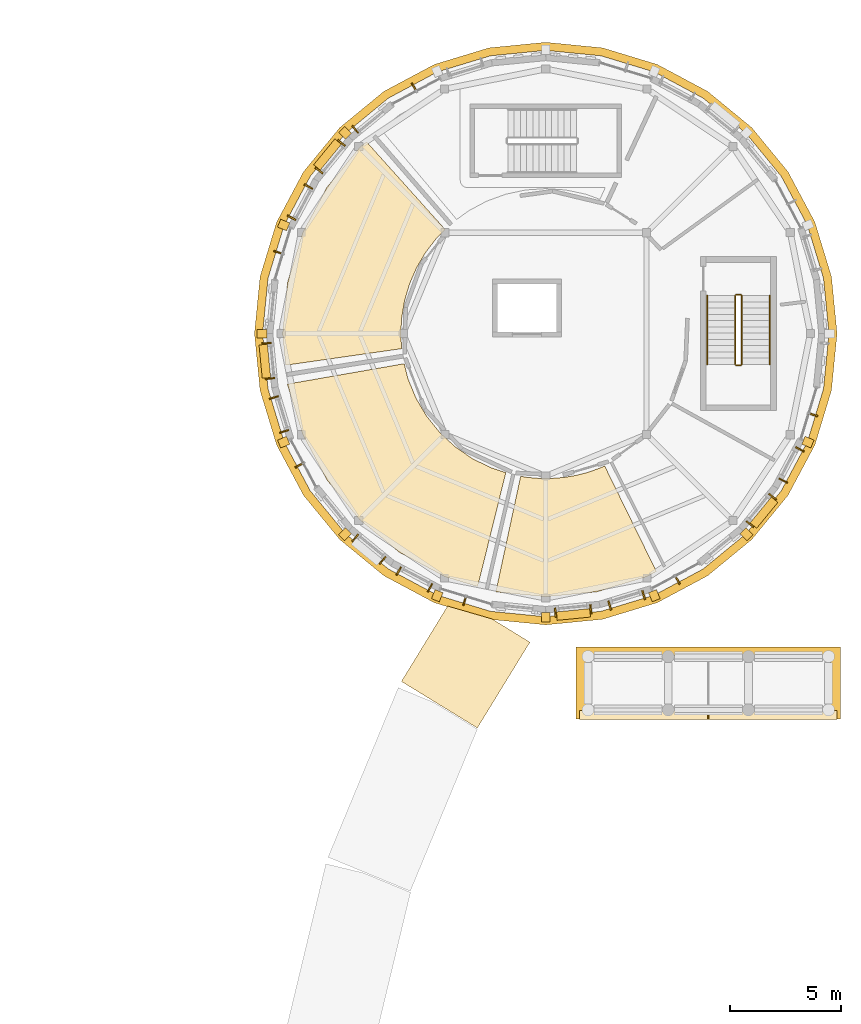
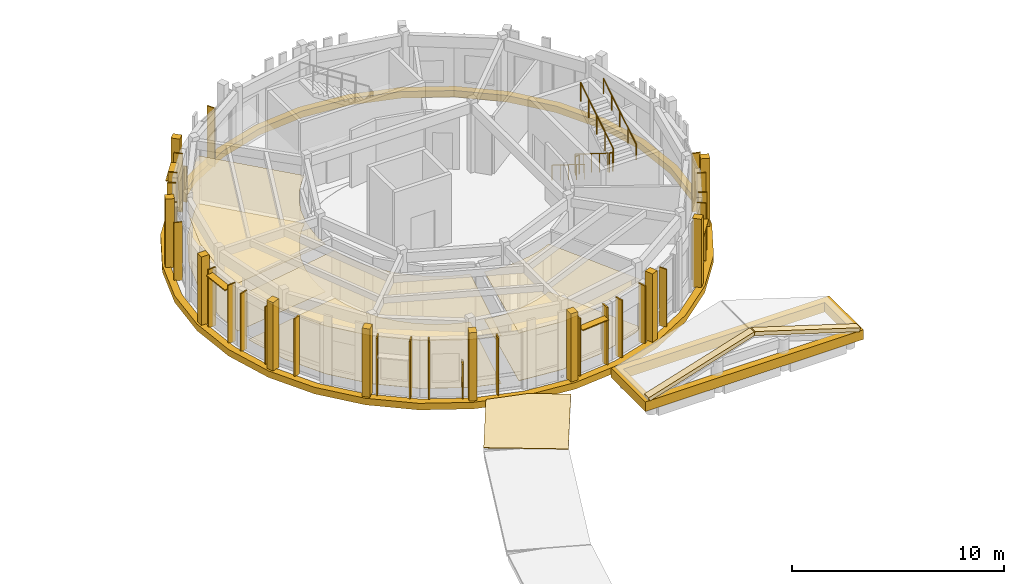
# One storey, part 57 of 58: 31 shading devices, 21 coverings, 6 railings.
"""IFC4 building model written with IfcOpenShell, lengths in metres."""

from ifc_helpers import new_model, si_unit, direction, frame, origin, origin_2d, place, context, subcontext, project, spatial, polyline, rectangle, circle, outline, extrude, material, layer, layer_set, type_object, element, save


model = new_model("IFC4")

# Units and contexts
model_context = context("Model", 3, precision=1e-05, world=origin(), true_north=direction((0.0, 1.0)))
body_context = subcontext(model_context, "Body", "Model", "MODEL_VIEW")
ifc_project = project(units=[si_unit("LENGTHUNIT", "METRE"), si_unit("AREAUNIT", "SQUARE_METRE"), si_unit("VOLUMEUNIT", "CUBIC_METRE"), si_unit("PLANEANGLEUNIT", "RADIAN"), si_unit("MASSUNIT", "GRAM", prefix="KILO")], contexts=[model_context])

# Site, building, storey
site_placement = place(None, origin())
site = spatial("IfcSite", under=ifc_project, at=site_placement, CompositionType="ELEMENT")
building_placement = place(site_placement, origin())
building = spatial("IfcBuilding", under=site, at=building_placement, Name="Aldenvaro Health Centre", CompositionType="ELEMENT")
storey_placement = place(building_placement, frame((0.0, 0.0, 8.75)))
storey = spatial("IfcBuildingStorey", under=building, at=storey_placement, Name="L02", CompositionType="ELEMENT", Elevation=8.75)

# Coverings
ifc_material_1 = material(Name="Antimicrobial Mineral Fibre Ceiling")
ifc_layer_1 = layer(ifc_material_1, 0.01806640625, Name="Antimicrobial Mineral Fibre Ceiling")
ifc_layer_set_1 = layer_set([ifc_layer_1], Name="Antimicrobial Mineral Fibre Ceiling")
covering_type_1 = type_object("IfcCoveringType", Name="COV-CLG-ACT18", PredefinedType="CEILING", material=ifc_layer_set_1)
covering_1_placement = place(storey_placement, frame((0.0, 0.0, 2.75)))
element("IfcCovering", 1, at=covering_1_placement, inside=storey, type_object=covering_type_1, Name="D2-L02-R04 Suspended Ceiling", PredefinedType="CEILING", context=body_context, shape_type="SweptSolid", body=[
    extrude(outline(polyline([(152.259033203125, 87.902099609375), (153.3720703125, 93.093994140625), (153.659912109375, 93.044921875), (153.679931640625, 93.0419921875), (154.199951171875, 92.9970703125), (154.219970703125, 92.99609375), (154.742919921875, 92.9951171875), (154.762939453125, 92.99609375), (155.282958984375, 93.0380859375), (155.302978515625, 93.0400390625), (155.819091796875, 93.125), (155.837890625, 93.12890625), (156.344970703125, 93.257080078125), (156.364013671875, 93.262939453125), (156.85791015625, 93.431884765625), (156.876953125, 93.43994140625), (157.14404296875, 93.556884765625), (159.466064453125, 88.818115234375), (159.02294921875, 88.5810546875), (156.804931640625, 87.907958984375), (154.5, 87.681884765625), (152.259033203125, 87.902099609375)])), origin(), (0.0, 0.0, 1.0), 0.01806640625),
])
ifc_material_2 = material(Name="Hygienic Sealed Gypsum Ceiling")
ifc_layer_2 = layer(ifc_material_2, 0.02490234375, Name="Hygienic Sealed Gypsum Ceiling")
ifc_layer_set_2 = layer_set([ifc_layer_2], Name="Hygienic Sealed Gypsum Ceiling")
covering_type_2 = type_object("IfcCoveringType", Name="COV-CLG-GYP25", PredefinedType="CEILING", material=ifc_layer_set_2)
covering_2_placement = place(storey_placement, frame((0.0, 0.0, 2.75)))
element("IfcCovering", 2, at=covering_2_placement, inside=storey, type_object=covering_type_2, Name="D2-L02-R02 Suspended Ceiling", PredefinedType="CEILING", context=body_context, shape_type="SweptSolid", body=[
    extrude(outline(polyline([(149.60205078125, 103.7880859375), (149.5830078125, 103.76611328125), (149.114990234375, 103.156982421875), (149.097900390625, 103.133056640625), (148.7080078125, 102.470947265625), (148.695068359375, 102.445068359375), (148.387939453125, 101.739990234375), (148.3779296875, 101.712890625), (148.159912109375, 100.97607421875), (148.153076171875, 100.947021484375), (148.027099609375, 100.18896484375), (148.02392578125, 100.159912109375), (147.990966796875, 99.39306640625), (147.991943359375, 99.363037109375), (148.034912109375, 98.822021484375), (142.821044921875, 98.080078125), (142.681884765625, 99.5), (142.907958984375, 101.804931640625), (143.5810546875, 104.02294921875), (144.673095703125, 106.06591796875), (146.14306640625, 107.85693359375), (146.451904296875, 108.110107421875), (149.98291015625, 104.175048828125), (149.60205078125, 103.7880859375)])), origin(), (0.0, 0.0, 1.0), 0.02490234375),
])
covering_3_placement = place(storey_placement, frame((0.0, 0.0, 2.75)))
element("IfcCovering", 3, at=covering_3_placement, inside=storey, type_object=covering_type_2, Name="D2-L02-R03 Suspended Ceiling", PredefinedType="CEILING", context=body_context, shape_type="SweptSolid", body=[
    extrude(outline(polyline([(148.31005859375, 97.486083984375), (148.321044921875, 97.452880859375), (148.6640625, 96.615966796875), (148.679931640625, 96.5849609375), (149.139892578125, 95.805908203125), (149.159912109375, 95.778076171875), (149.72802734375, 95.072998046875), (149.7509765625, 95.048095703125), (150.4140625, 94.431884765625), (150.44091796875, 94.410888671875), (151.18603515625, 93.89697265625), (151.216064453125, 93.8798828125), (152.027099609375, 93.47900390625), (152.05908203125, 93.466064453125), (152.70703125, 93.2548828125), (151.44091796875, 88.136962890625), (149.97705078125, 88.5810546875), (147.93408203125, 89.673095703125), (146.14306640625, 91.14306640625), (144.673095703125, 92.93408203125), (143.5810546875, 94.97705078125), (142.907958984375, 97.195068359375), (142.905029296875, 97.23291015625), (148.14501953125, 98.14697265625), (148.31005859375, 97.486083984375)])), origin(), (0.0, 0.0, 1.0), 0.02490234375),
])
ifc_material_3 = material(Name="Honed Sonoran Buff Limestone", Category="masonry")
ifc_layer_3 = layer(ifc_material_3, 0.280029296875, Name="Honed Sonoran Buff Limestone", Category="masonry")
ifc_layer_set_3 = layer_set([ifc_layer_3], Name="Honed Sonoran Buff Limestone")
covering_type_3 = type_object("IfcCoveringType", Name="COV-CRN-STN", PredefinedType="CLADDING", material=ifc_layer_set_3)
covering_4_placement = place(storey_placement, frame((0.0, 0.0, -0.340087890625)))
element("IfcCovering", 4, at=covering_4_placement, inside=storey, type_object=covering_type_3, Name="D2 L02 Classical Stone Entablature Cornice 1", PredefinedType="CLADDING", context=body_context, shape_type="SweptSolid", body=[
    extrude(outline(polyline([(167.580078125, 99.5), (167.3291015625, 102.052001953125), (166.583984375, 104.5048828125), (165.3759765625, 106.76708984375), (163.7490234375, 108.7490234375), (161.76708984375, 110.3759765625), (159.5048828125, 111.583984375), (157.052001953125, 112.3291015625), (154.5, 112.580078125), (151.947998046875, 112.3291015625), (149.4951171875, 111.583984375), (147.23291015625, 110.3759765625), (145.2509765625, 108.7490234375), (143.6240234375, 106.76708984375), (142.416015625, 104.5048828125), (141.6708984375, 102.052001953125), (141.419921875, 99.5), (141.6708984375, 96.947998046875), (142.416015625, 94.4951171875), (143.6240234375, 92.23291015625), (145.2509765625, 90.2509765625), (147.23291015625, 88.6240234375), (149.4951171875, 87.416015625), (151.947998046875, 86.6708984375), (154.5, 86.419921875), (157.052001953125, 86.6708984375), (159.5048828125, 87.416015625), (161.76708984375, 88.6240234375), (163.7490234375, 90.2509765625), (165.3759765625, 92.23291015625), (166.583984375, 94.4951171875), (167.3291015625, 96.947998046875), (167.580078125, 99.5)]), holes=[polyline([(167.215087890625, 99.5), (166.970947265625, 97.01904296875), (166.2470703125, 94.634033203125), (165.072021484375, 92.43603515625), (163.490966796875, 90.509033203125), (161.56396484375, 88.927978515625), (159.365966796875, 87.7529296875), (156.98095703125, 87.029052734375), (154.5, 86.784912109375), (152.01904296875, 87.029052734375), (149.634033203125, 87.7529296875), (147.43603515625, 88.927978515625), (145.509033203125, 90.509033203125), (143.927978515625, 92.43603515625), (142.7529296875, 94.634033203125), (142.029052734375, 97.01904296875), (141.784912109375, 99.5), (142.029052734375, 101.98095703125), (142.7529296875, 104.365966796875), (143.927978515625, 106.56396484375), (145.509033203125, 108.490966796875), (147.43603515625, 110.072021484375), (149.634033203125, 111.2470703125), (152.01904296875, 111.970947265625), (154.5, 112.215087890625), (156.98095703125, 111.970947265625), (159.365966796875, 111.2470703125), (161.56396484375, 110.072021484375), (163.490966796875, 108.490966796875), (165.072021484375, 106.56396484375), (166.2470703125, 104.365966796875), (166.970947265625, 101.98095703125), (167.215087890625, 99.5)])]), origin(), (0.0, 0.0, 1.0), 0.380126953125),
])
for number, where, z_axis, x_axis, name in (
    (5, (166.27001953125, 94.625, 0.00048828125), (0.0, 0.0, 1.0), (0.923886106593, -0.382667560743, 0.0), "D2 L02 Engaged Classical Limestone Pilaster 02"),
    (6, (163.509033203125, 90.490966796875, 0.00048828125), (0.0, 0.0, 1.0), (0.707106781187, -0.707106781187, 0.0), "D2 L02 Engaged Classical Limestone Pilaster 03"),
    (7, (159.375, 87.72998046875, 0.00048828125), (0.0, 0.0, 1.0), (0.382667560743, -0.923886106593, 0.0), "D2 L02 Engaged Classical Limestone Pilaster 04"),
    (8, (154.5, 86.760009765625, 0.00048828125), (0.0, 0.0, 1.0), (0.0, -1.0, 0.0), "D2 L02 Engaged Classical Limestone Pilaster 05"),
    (9, (149.625, 87.72998046875, 0.00048828125), (0.0, 0.0, 1.0), (-0.382667560743, -0.923886106593, 0.0), "D2 L02 Engaged Classical Limestone Pilaster 06"),
    (10, (145.490966796875, 90.490966796875, 0.00048828125), (0.0, 0.0, 1.0), (-0.707106781187, -0.707106781187, 0.0), "D2 L02 Engaged Classical Limestone Pilaster 07"),
    (11, (142.72998046875, 94.625, 0.00048828125), (0.0, 0.0, 1.0), (-0.923886106593, -0.382667560743, 0.0), "D2 L02 Engaged Classical Limestone Pilaster 08"),
    (12, (141.760009765625, 99.5, 0.00048828125), (0.0, 0.0, 1.0), (-1.0, 0.0, 0.0), "D2 L02 Engaged Classical Limestone Pilaster 09"),
    (13, (142.72998046875, 104.375, 0.00048828125), (0.0, 0.0, 1.0), (-0.923886106593, 0.382667560743, 0.0), "D2 L02 Engaged Classical Limestone Pilaster 10"),
    (14, (145.490966796875, 108.509033203125, 0.00048828125), (0.0, 0.0, 1.0), (-0.707106781187, 0.707106781187, 0.0), "D2 L02 Engaged Classical Limestone Pilaster 11"),
):
    element("IfcCovering", number, at=place(storey_placement, frame(where, z_axis=z_axis, x_axis=x_axis)), inside=storey, type_object=covering_type_3, Name=name, PredefinedType="CLADDING", context=body_context, shape_type="SweptSolid", body=[
        extrude(rectangle(XDim=0.43994140625, YDim=0.3798828125, at=origin_2d()), origin(), (0.0, 0.0, 1.0), 3.97509765625),
    ])
covering_5_placement = place(storey_placement, frame((0.0, 0.0, 0.449951171875)))
element("IfcCovering", 15, at=covering_5_placement, inside=storey, type_object=covering_type_3, Name="Bastion Portico N2 Classical Entablature Cornice", PredefinedType="CLADDING", context=body_context, shape_type="SweptSolid", body=[
    extrude(outline(polyline([(155.860107421875, 82.18994140625), (155.860107421875, 85.429931640625), (167.739990234375, 85.429931640625), (167.739990234375, 82.18994140625), (155.860107421875, 82.18994140625)]), holes=[polyline([(167.280029296875, 85.050048828125), (156.320068359375, 85.050048828125), (156.320068359375, 82.550048828125), (167.280029296875, 82.550048828125), (167.280029296875, 85.050048828125)])]), origin(), (0.0, 0.0, 1.0), 0.550048828125),
])
for number, where, z_axis, x_axis, name in (
    (16, (156.02001953125, 82.169921875, 1.18994140625), (-0.297240682512, 0.0, 0.954802585177), (0.954802585177, 0.0, 0.297240682512), "Bastion Portico N2 Raking Cornice W"),
    (17, (161.830078125, 82.169921875, 2.97998046875), (0.297240682512, 0.0, 0.954802585177), (0.954802585177, 0.0, -0.297240682512), "Bastion Portico N2 Raking Cornice E"),
):
    element("IfcCovering", number, at=place(storey_placement, frame(where, z_axis=z_axis, x_axis=x_axis)), inside=storey, type_object=covering_type_3, Name=name, PredefinedType="CLADDING", context=body_context, shape_type="SweptSolid", body=[
        extrude(outline(polyline([(0.0, 0.0), (6.022187297425734, 0.0), (6.022187297425734, 0.400146484375), (0.0, 0.400146484375), (0.0, 0.0)])), origin(), (0.0, 0.0, -1.0), 0.219970703125),
    ])
ifc_material_4 = material(Name="Polished Epoxy Terrazzo Flooring")
ifc_layer_4 = layer(ifc_material_4, 0.02197265625, Name="Polished Epoxy Terrazzo Flooring")
ifc_layer_set_4 = layer_set([ifc_layer_4], Name="Polished Epoxy Terrazzo Flooring")
covering_type_4 = type_object("IfcCoveringType", Name="COV-FLR-TER22", PredefinedType="FLOORING", material=ifc_layer_set_4)
covering_6_placement = place(storey_placement, origin())
element("IfcCovering", 18, at=covering_6_placement, inside=storey, type_object=covering_type_4, Name="D2-L02-R04 Flooring", PredefinedType="FLOORING", context=body_context, shape_type="SweptSolid", body=[
    extrude(outline(polyline([(152.259033203125, 87.902099609375), (153.3720703125, 93.093994140625), (153.659912109375, 93.044921875), (153.679931640625, 93.0419921875), (154.199951171875, 92.9970703125), (154.219970703125, 92.99609375), (154.742919921875, 92.9951171875), (154.762939453125, 92.99609375), (155.282958984375, 93.0380859375), (155.302978515625, 93.0400390625), (155.819091796875, 93.125), (155.837890625, 93.12890625), (156.344970703125, 93.257080078125), (156.364013671875, 93.262939453125), (156.85791015625, 93.431884765625), (156.876953125, 93.43994140625), (157.14404296875, 93.556884765625), (159.466064453125, 88.818115234375), (159.02294921875, 88.5810546875), (156.804931640625, 87.907958984375), (154.5, 87.681884765625), (152.259033203125, 87.902099609375)])), origin(), (0.0, 0.0, 1.0), 0.02197265625),
])
ifc_material_5 = material(Name="Seamless Homogeneous Sheet Vinyl")
ifc_layer_5 = layer(ifc_material_5, 0.013916015625, Name="Seamless Homogeneous Sheet Vinyl")
ifc_layer_set_5 = layer_set([ifc_layer_5], Name="Seamless Homogeneous Sheet Vinyl")
covering_type_5 = type_object("IfcCoveringType", Name="COV-FLR-VNL14", PredefinedType="FLOORING", material=ifc_layer_set_5)
covering_7_placement = place(storey_placement, origin())
element("IfcCovering", 19, at=covering_7_placement, inside=storey, type_object=covering_type_5, Name="D2-L02-R02 Flooring", PredefinedType="FLOORING", context=body_context, shape_type="SweptSolid", body=[
    extrude(outline(polyline([(149.60205078125, 103.7880859375), (149.5830078125, 103.76611328125), (149.114990234375, 103.156982421875), (149.097900390625, 103.133056640625), (148.7080078125, 102.470947265625), (148.695068359375, 102.445068359375), (148.387939453125, 101.739990234375), (148.3779296875, 101.712890625), (148.159912109375, 100.97607421875), (148.153076171875, 100.947021484375), (148.027099609375, 100.18896484375), (148.02392578125, 100.159912109375), (147.990966796875, 99.39306640625), (147.991943359375, 99.363037109375), (148.034912109375, 98.822021484375), (142.821044921875, 98.080078125), (142.681884765625, 99.5), (142.907958984375, 101.804931640625), (143.5810546875, 104.02294921875), (144.673095703125, 106.06591796875), (146.14306640625, 107.85693359375), (146.451904296875, 108.110107421875), (149.98291015625, 104.175048828125), (149.60205078125, 103.7880859375)])), origin(), (0.0, 0.0, 1.0), 0.013916015625),
])
covering_8_placement = place(storey_placement, origin())
element("IfcCovering", 20, at=covering_8_placement, inside=storey, type_object=covering_type_5, Name="D2-L02-R03 Flooring", PredefinedType="FLOORING", context=body_context, shape_type="SweptSolid", body=[
    extrude(outline(polyline([(148.31005859375, 97.486083984375), (148.321044921875, 97.452880859375), (148.6640625, 96.615966796875), (148.679931640625, 96.5849609375), (149.139892578125, 95.805908203125), (149.159912109375, 95.778076171875), (149.72802734375, 95.072998046875), (149.7509765625, 95.048095703125), (150.4140625, 94.431884765625), (150.44091796875, 94.410888671875), (151.18603515625, 93.89697265625), (151.216064453125, 93.8798828125), (152.027099609375, 93.47900390625), (152.05908203125, 93.466064453125), (152.70703125, 93.2548828125), (151.44091796875, 88.136962890625), (149.97705078125, 88.5810546875), (147.93408203125, 89.673095703125), (146.14306640625, 91.14306640625), (144.673095703125, 92.93408203125), (143.5810546875, 94.97705078125), (142.907958984375, 97.195068359375), (142.905029296875, 97.23291015625), (148.14501953125, 98.14697265625), (148.31005859375, 97.486083984375)])), origin(), (0.0, 0.0, 1.0), 0.013916015625),
])
ifc_material_6 = material(Name="TPO Reflective Cool Roof Membrane")
ifc_layer_6 = layer(ifc_material_6, 0.030029296875, Name="TPO Reflective Cool Roof Membrane")
ifc_layer_set_6 = layer_set([ifc_layer_6], Name="TPO Reflective Cool Roof Membrane")
covering_type_6 = type_object("IfcCoveringType", Name="COV-RF-MEM", PredefinedType="ROOFING", material=ifc_layer_set_6)
covering_9_placement = place(storey_placement, frame((0.0, 0.0, 0.06005859375)))
element("IfcCovering", 21, at=covering_9_placement, inside=storey, type_object=covering_type_6, Name="East Curved Garden Colonnade Arc 1 flat roof Cool Limestone Ballast Membrane", PredefinedType="ROOFING", context=body_context, shape_type="SweptSolid", body=[
    extrude(outline(polyline([(153.7890625, 85.64306640625), (151.427001953125, 81.7900390625), (148.01708984375, 83.8798828125), (150.092041015625, 87.264892578125), (152.083984375, 86.68798828125), (153.7890625, 85.64306640625)])), origin(), (0.0, 0.0, 1.0), 0.030029296875),
])

# Railings
ifc_material_7 = material(Name="Painted Architectural Steel", Category="steel")
railing_type_1 = type_object("IfcRailingType", Name="RL-BAL-INT", PredefinedType="BALUSTRADE", material=ifc_material_7)
railing_1_placement = place(storey_placement, frame((163.0, 101.199951171875, 0.175048828125)))
element("IfcRailing", 22, at=railing_1_placement, inside=storey, type_object=railing_type_1, Name="L02 ST-03 stair guard 1", PredefinedType="BALUSTRADE", context=body_context, shape_type="SweptSolid", body=[
    extrude(circle(Radius=0.02392578125, at=origin_2d()), frame((0.0, 0.0, 1.076171875), z_axis=(0.0, -0.847979421464, 0.530029150871), x_axis=(1.0, 0.0, 0.0)), (0.0, 0.0, 1.0), 3.632080078125),
    extrude(circle(Radius=0.02099609375, at=origin_2d()), origin(), (0.0, 0.0, 1.0), 1.052001953125),
    extrude(circle(Radius=0.02099609375, at=origin_2d()), frame((0.0, -0.77001953125, 0.481201171875)), (0.0, 0.0, 1.0), 1.052001953125),
    extrude(circle(Radius=0.02099609375, at=origin_2d()), frame((0.0, -1.5400390625, 0.96240234375)), (0.0, 0.0, 1.0), 1.052001953125),
    extrude(circle(Radius=0.02099609375, at=origin_2d()), frame((0.0, -2.309814453125, 1.44384765625)), (0.0, 0.0, 1.0), 1.052001953125),
    extrude(circle(Radius=0.02099609375, at=origin_2d()), frame((0.0, -3.079833984375, 1.925048828125)), (0.0, 0.0, 1.0), 1.052001953125),
])
railing_2_placement = place(storey_placement, frame((163.050048828125, 98.070068359375, 2.10009765625)))
element("IfcRailing", 23, at=railing_2_placement, inside=storey, type_object=railing_type_1, Name="L02 ST-03 stair guard 2", PredefinedType="BALUSTRADE", context=body_context, shape_type="SweptSolid", body=[
    extrude(circle(Radius=0.02392578125, at=origin_2d()), frame((0.0, 0.0, 1.076171875), z_axis=(1.0, 0.0, 0.0), x_axis=(0.0, 1.0, 0.0)), (0.0, 0.0, 1.0), 0.199951171875),
    extrude(circle(Radius=0.02099609375, at=origin_2d()), origin(), (0.0, 0.0, 1.0), 1.052001953125),
    extrude(circle(Radius=0.02099609375, at=origin_2d()), frame((0.199951171875, 0.0, 0.0)), (0.0, 0.0, 1.0), 1.052001953125),
])
railing_3_placement = place(storey_placement, frame((163.300048828125, 98.1201171875, 2.27490234375)))
element("IfcRailing", 24, at=railing_3_placement, inside=storey, type_object=railing_type_1, Name="L02 ST-03 stair guard 3", PredefinedType="BALUSTRADE", context=body_context, shape_type="SweptSolid", body=[
    extrude(circle(Radius=0.02392578125, at=origin_2d()), frame((0.0, 0.0, 1.076171875), z_axis=(0.0, 0.847979421464, 0.530029150871), x_axis=(-1.0, 0.0, 0.0)), (0.0, 0.0, 1.0), 3.632080078125),
    extrude(circle(Radius=0.02099609375, at=origin_2d()), origin(), (0.0, 0.0, 1.0), 1.052001953125),
    extrude(circle(Radius=0.02099609375, at=origin_2d()), frame((0.0, 0.77001953125, 0.481201171875)), (0.0, 0.0, 1.0), 1.052001953125),
    extrude(circle(Radius=0.02099609375, at=origin_2d()), frame((0.0, 1.5400390625, 0.96240234375)), (0.0, 0.0, 1.0), 1.052001953125),
    extrude(circle(Radius=0.02099609375, at=origin_2d()), frame((0.0, 2.309814453125, 1.44384765625)), (0.0, 0.0, 1.0), 1.052001953125),
    extrude(circle(Radius=0.02099609375, at=origin_2d()), frame((0.0, 3.079833984375, 1.925048828125)), (0.0, 0.0, 1.0), 1.052001953125),
])
railing_4_placement = place(storey_placement, frame((163.050048828125, 101.25, 0.0)))
element("IfcRailing", 25, at=railing_4_placement, inside=storey, type_object=railing_type_1, Name="L02 ST-03 stair guard 4", PredefinedType="BALUSTRADE", context=body_context, shape_type="SweptSolid", body=[
    extrude(circle(Radius=0.02392578125, at=origin_2d()), frame((0.0, 0.0, 1.076171875), z_axis=(1.0, 0.0, 0.0), x_axis=(0.0, 1.0, 0.0)), (0.0, 0.0, 1.0), 0.199951171875),
    extrude(circle(Radius=0.02099609375, at=origin_2d()), origin(), (0.0, 0.0, 1.0), 1.052001953125),
    extrude(circle(Radius=0.02099609375, at=origin_2d()), frame((0.199951171875, 0.0, 0.0)), (0.0, 0.0, 1.0), 1.052001953125),
])
railing_type_2 = type_object("IfcRailingType", Name="RL-HND-INT", PredefinedType="HANDRAIL", material=ifc_material_7)
railing_5_placement = place(storey_placement, frame((161.75, 101.199951171875, 0.175048828125)))
element("IfcRailing", 26, at=railing_5_placement, inside=storey, type_object=railing_type_2, Name="L02 ST-03 stair handrail 1", PredefinedType="HANDRAIL", context=body_context, shape_type="SweptSolid", body=[
    extrude(circle(Radius=0.02392578125, at=origin_2d()), frame((0.0, 0.0, 0.8759765625), z_axis=(0.0, -0.847979421464, 0.530029150871), x_axis=(1.0, 0.0, 0.0)), (0.0, 0.0, 1.0), 3.632080078125),
    extrude(circle(Radius=0.02099609375, at=origin_2d()), origin(), (0.0, 0.0, 1.0), 0.851806640625),
    extrude(circle(Radius=0.02099609375, at=origin_2d()), frame((0.0, -0.77001953125, 0.481201171875)), (0.0, 0.0, 1.0), 0.851806640625),
    extrude(circle(Radius=0.02099609375, at=origin_2d()), frame((0.0, -1.5400390625, 0.96240234375)), (0.0, 0.0, 1.0), 0.851806640625),
    extrude(circle(Radius=0.02099609375, at=origin_2d()), frame((0.0, -2.309814453125, 1.44384765625)), (0.0, 0.0, 1.0), 0.851806640625),
    extrude(circle(Radius=0.02099609375, at=origin_2d()), frame((0.0, -3.079833984375, 1.925048828125)), (0.0, 0.0, 1.0), 0.851806640625),
])
railing_6_placement = place(storey_placement, frame((164.550048828125, 98.1201171875, 2.27490234375)))
element("IfcRailing", 27, at=railing_6_placement, inside=storey, type_object=railing_type_2, Name="L02 ST-03 stair handrail 2", PredefinedType="HANDRAIL", context=body_context, shape_type="SweptSolid", body=[
    extrude(circle(Radius=0.02392578125, at=origin_2d()), frame((0.0, 0.0, 0.8759765625), z_axis=(0.0, 0.847979421464, 0.530029150871), x_axis=(-1.0, 0.0, 0.0)), (0.0, 0.0, 1.0), 3.632080078125),
    extrude(circle(Radius=0.02099609375, at=origin_2d()), origin(), (0.0, 0.0, 1.0), 0.851806640625),
    extrude(circle(Radius=0.02099609375, at=origin_2d()), frame((0.0, 0.77001953125, 0.481201171875)), (0.0, 0.0, 1.0), 0.851806640625),
    extrude(circle(Radius=0.02099609375, at=origin_2d()), frame((0.0, 1.5400390625, 0.96240234375)), (0.0, 0.0, 1.0), 0.851806640625),
    extrude(circle(Radius=0.02099609375, at=origin_2d()), frame((0.0, 2.309814453125, 1.44384765625)), (0.0, 0.0, 1.0), 0.851806640625),
    extrude(circle(Radius=0.02099609375, at=origin_2d()), frame((0.0, 3.079833984375, 1.925048828125)), (0.0, 0.0, 1.0), 0.851806640625),
])

# Shading devices
ifc_material_8 = material(Name="Douglas Fir Exterior Glulam GL28h", Category="wood")
shading_device_type_1 = type_object("IfcShadingDeviceType", Name="SHD-FIN-205", PredefinedType="USERDEFINED", material=ifc_material_8)
for number, where, z_axis, x_axis, name in (
    (28, (149.302001953125, 88.087890625, -0.02001953125), (0.0, 0.0, 1.0), (-0.881919874971, 0.471399336159, 0.0), "D2 L02 Douglas fir fin 11.1"),
    (29, (145.946044921875, 108.669921875, -0.02001953125), (0.0, 0.0, 1.0), (0.773021639749, 0.634379653268, 0.0), "D2 L02 Douglas fir fin 21.1"),
):
    element("IfcShadingDevice", number, at=place(storey_placement, frame(where, z_axis=z_axis, x_axis=x_axis)), inside=storey, type_object=shading_device_type_1, Name=name, ObjectType="FIN", PredefinedType="USERDEFINED", context=body_context, shape_type="SweptSolid", body=[
        extrude(rectangle(XDim=0.06494140625, YDim=0.419921875, at=origin_2d()), origin(), (0.0, 0.0, 1.0), 2.050048828125),
    ])
shading_device_type_2 = type_object("IfcShadingDeviceType", Name="SHD-FIN-340", PredefinedType="USERDEFINED", material=ifc_material_8)
for number, where, z_axis, x_axis, name in (
    (30, (166.510009765625, 95.85693359375, -0.01953125), (0.0, 0.0, 1.0), (-0.290441245116, -0.956892827403, 0.0), "D2 L02 vertical timber fin 2.0"),
    (31, (156.51806640625, 87.123046875, -0.01953125), (0.0, 0.0, 1.0), (-0.995194782414, -0.097914988926, 0.0), "D2 L02 Douglas fir fin 8.1"),
    (32, (154.93505859375, 86.967041015625, -0.01953125), (0.0, 0.0, 1.0), (-0.995194782414, -0.097914988926, 0.0), "D2 L02 Douglas fir fin 8.3"),
    (33, (143.431884765625, 93.583984375, -0.01953125), (0.0, 0.0, 1.0), (-0.471399336159, 0.881919874971, 0.0), "D2 L02 vertical timber fin 14.0"),
    (34, (144.321044921875, 106.824951171875, -0.01953125), (0.0, 0.0, 1.0), (0.634379653268, 0.773021639749, 0.0), "D2 L02 Douglas fir fin 20.1"),
    (35, (145.330078125, 108.053955078125, -0.01953125), (0.0, 0.0, 1.0), (0.634379653268, 0.773021639749, 0.0), "D2 L02 Douglas fir fin 20.3"),
):
    element("IfcShadingDevice", number, at=place(storey_placement, frame(where, z_axis=z_axis, x_axis=x_axis)), inside=storey, type_object=shading_device_type_2, Name=name, ObjectType="FIN", PredefinedType="USERDEFINED", context=body_context, shape_type="SweptSolid", body=[
        extrude(rectangle(XDim=0.074951171875, YDim=0.419921875, at=origin_2d()), origin(), (0.0, 0.0, 1.0), 3.368896484375),
    ])
shading_device_type_3 = type_object("IfcShadingDeviceType", Name="SHD-FIN-380", PredefinedType="USERDEFINED", material=ifc_material_8)
for number, where, z_axis, x_axis, name in (
    (36, (158.89404296875, 87.7548828125, -0.01953125), (0.0, 0.0, 1.0), (-0.956892827403, -0.290441245116, 0.0), "D2 L02 Douglas fir fin 7.1"),
    (37, (157.3720703125, 87.29296875, -0.01953125), (0.0, 0.0, 1.0), (-0.956892827403, -0.290441245116, 0.0), "D2 L02 Douglas fir fin 7.3"),
    (38, (143.087890625, 104.697998046875, -0.01953125), (0.0, 0.0, 1.0), (0.471399336159, 0.881919874971, 0.0), "D2 L02 Douglas fir fin 19.1"),
    (39, (143.837890625, 106.10107421875, -0.01953125), (0.0, 0.0, 1.0), (0.471399336159, 0.881919874971, 0.0), "D2 L02 Douglas fir fin 19.3"),
):
    element("IfcShadingDevice", number, at=place(storey_placement, frame(where, z_axis=z_axis, x_axis=x_axis)), inside=storey, type_object=shading_device_type_3, Name=name, ObjectType="FIN", PredefinedType="USERDEFINED", context=body_context, shape_type="SweptSolid", body=[
        extrude(rectangle(XDim=0.074951171875, YDim=0.419921875, at=origin_2d()), origin(), (0.0, 0.0, 1.0), 3.368896484375),
    ])
shading_device_type_4 = type_object("IfcShadingDeviceType", Name="SHD-FIN-400", PredefinedType="USERDEFINED", material=ifc_material_8)
for number, where, z_axis, x_axis, name in (
    (40, (160.416015625, 88.431884765625, -0.01953125), (0.0, 0.0, 1.0), (-0.881919874971, -0.471399336159, 0.0), "D2 L02 vertical timber fin 6.0"),
    (41, (147.175048828125, 89.321044921875, -0.01953125), (0.0, 0.0, 1.0), (-0.773021639749, 0.634379653268, 0.0), "D2 L02 Douglas fir fin 12.1"),
    (42, (145.946044921875, 90.330078125, -0.01953125), (0.0, 0.0, 1.0), (-0.773021639749, 0.634379653268, 0.0), "D2 L02 Douglas fir fin 12.3"),
    (43, (142.489990234375, 103.14306640625, -0.01953125), (0.0, 0.0, 1.0), (0.290441245116, 0.956892827403, 0.0), "D2 L02 vertical timber fin 18.0"),
):
    element("IfcShadingDevice", number, at=place(storey_placement, frame(where, z_axis=z_axis, x_axis=x_axis)), inside=storey, type_object=shading_device_type_4, Name=name, ObjectType="FIN", PredefinedType="USERDEFINED", context=body_context, shape_type="SweptSolid", body=[
        extrude(rectangle(XDim=0.06494140625, YDim=0.419921875, at=origin_2d()), origin(), (0.0, 0.0, 1.0), 3.368896484375),
    ])
shading_device_type_5 = type_object("IfcShadingDeviceType", Name="SHD-FIN-420", PredefinedType="USERDEFINED", material=ifc_material_8)
shading_device_placement = place(storey_placement, frame((147.89892578125, 88.837890625, -0.01953125), z_axis=(0.0, 0.0, 1.0), x_axis=(-0.881919874971, 0.471399336159, 0.0)))
element("IfcShadingDevice", 44, at=shading_device_placement, inside=storey, type_object=shading_device_type_5, Name="D2 L02 Douglas fir fin 11.3", ObjectType="FIN", PredefinedType="USERDEFINED", context=body_context, shape_type="SweptSolid", body=[
    extrude(rectangle(XDim=0.06494140625, YDim=0.419921875, at=origin_2d()), origin(), (0.0, 0.0, 1.0), 3.368896484375),
])
shading_device_type_6 = type_object("IfcShadingDeviceType", Name="SHD-FIN-435", PredefinedType="USERDEFINED", material=ifc_material_8)
for number, where, z_axis, x_axis, name in (
    (45, (164.678955078125, 92.175048828125, -0.01953125), (0.0, 0.0, 1.0), (-0.634379653268, -0.773021639749, 0.0), "D2 L02 Douglas fir fin 4.1"),
    (46, (163.669921875, 90.946044921875, -0.01953125), (0.0, 0.0, 1.0), (-0.634379653268, -0.773021639749, 0.0), "D2 L02 Douglas fir fin 4.3"),
    (47, (150.85693359375, 87.489990234375, -0.01953125), (0.0, 0.0, 1.0), (-0.956892827403, 0.290441245116, 0.0), "D2 L02 vertical timber fin 10.0"),
    (48, (142.123046875, 97.48193359375, -0.01953125), (0.0, 0.0, 1.0), (-0.097914988926, 0.995194782414, 0.0), "D2 L02 Douglas fir fin 16.1"),
    (49, (141.967041015625, 99.06494140625, -0.01953125), (0.0, 0.0, 1.0), (-0.097914988926, 0.995194782414, 0.0), "D2 L02 Douglas fir fin 16.3"),
    (50, (148.583984375, 110.568115234375, -0.01953125), (0.0, 0.0, 1.0), (0.881919874971, 0.471399336159, 0.0), "D2 L02 vertical timber fin 22.0"),
):
    element("IfcShadingDevice", number, at=place(storey_placement, frame(where, z_axis=z_axis, x_axis=x_axis)), inside=storey, type_object=shading_device_type_6, Name=name, ObjectType="FIN", PredefinedType="USERDEFINED", context=body_context, shape_type="SweptSolid", body=[
        extrude(rectangle(XDim=0.06494140625, YDim=0.419921875, at=origin_2d()), origin(), (0.0, 0.0, 1.0), 3.368896484375),
    ])
shading_device_type_7 = type_object("IfcShadingDeviceType", Name="SHD-FIN-455", PredefinedType="USERDEFINED", material=ifc_material_8)
for number, where, z_axis, x_axis, name in (
    (51, (165.912109375, 94.302001953125, -0.01953125), (0.0, 0.0, 1.0), (-0.471399336159, -0.881919874971, 0.0), "D2 L02 Douglas fir fin 3.1"),
    (52, (165.162109375, 92.89892578125, -0.01953125), (0.0, 0.0, 1.0), (-0.471399336159, -0.881919874971, 0.0), "D2 L02 Douglas fir fin 3.3"),
    (53, (142.7548828125, 95.10595703125, -0.01953125), (0.0, 0.0, 1.0), (-0.290441245116, 0.956892827403, 0.0), "D2 L02 Douglas fir fin 15.1"),
    (54, (142.29296875, 96.6279296875, -0.01953125), (0.0, 0.0, 1.0), (-0.290441245116, 0.956892827403, 0.0), "D2 L02 Douglas fir fin 15.3"),
):
    element("IfcShadingDevice", number, at=place(storey_placement, frame(where, z_axis=z_axis, x_axis=x_axis)), inside=storey, type_object=shading_device_type_7, Name=name, ObjectType="FIN", PredefinedType="USERDEFINED", context=body_context, shape_type="SweptSolid", body=[
        extrude(rectangle(XDim=0.06494140625, YDim=0.419921875, at=origin_2d()), origin(), (0.0, 0.0, 1.0), 3.368896484375),
    ])
shading_device_type_8 = type_object("IfcShadingDeviceType", Name="SHD-LVR-150", PredefinedType="JALOUSIE", material=ifc_material_8)
for number, where, z_axis, x_axis, name in (
    (55, (164.298095703125, 91.458984375, 2.40234375), (0.0, 0.0, 1.0), (-0.634379653268, -0.773021639749, 0.0), "D2 L02 horizontal solar louvre 04"),
    (56, (155.742919921875, 86.885986328125, 2.70263671875), (0.0, 0.0, 1.0), (-0.995194782414, -0.097914988926, 0.0), "D2 L02 horizontal solar louvre 08"),
    (57, (141.885986328125, 98.257080078125, 3.052734375), (0.0, 0.0, 1.0), (-0.097914988926, 0.995194782414, 0.0), "D2 L02 horizontal solar louvre 16"),
    (58, (144.701904296875, 107.541015625, 2.75244140625), (0.0, 0.0, 1.0), (0.634379653268, 0.773021639749, 0.0), "D2 L02 horizontal solar louvre 20"),
):
    element("IfcShadingDevice", number, at=place(storey_placement, frame(where, z_axis=z_axis, x_axis=x_axis)), inside=storey, type_object=shading_device_type_8, Name=name, PredefinedType="JALOUSIE", context=body_context, shape_type="SweptSolid", body=[
        extrude(rectangle(XDim=1.5, YDim=0.3798828125, at=origin_2d()), origin(), (0.0, 0.0, 1.0), 0.054931640625),
    ])

save(model, "model.ifc")
